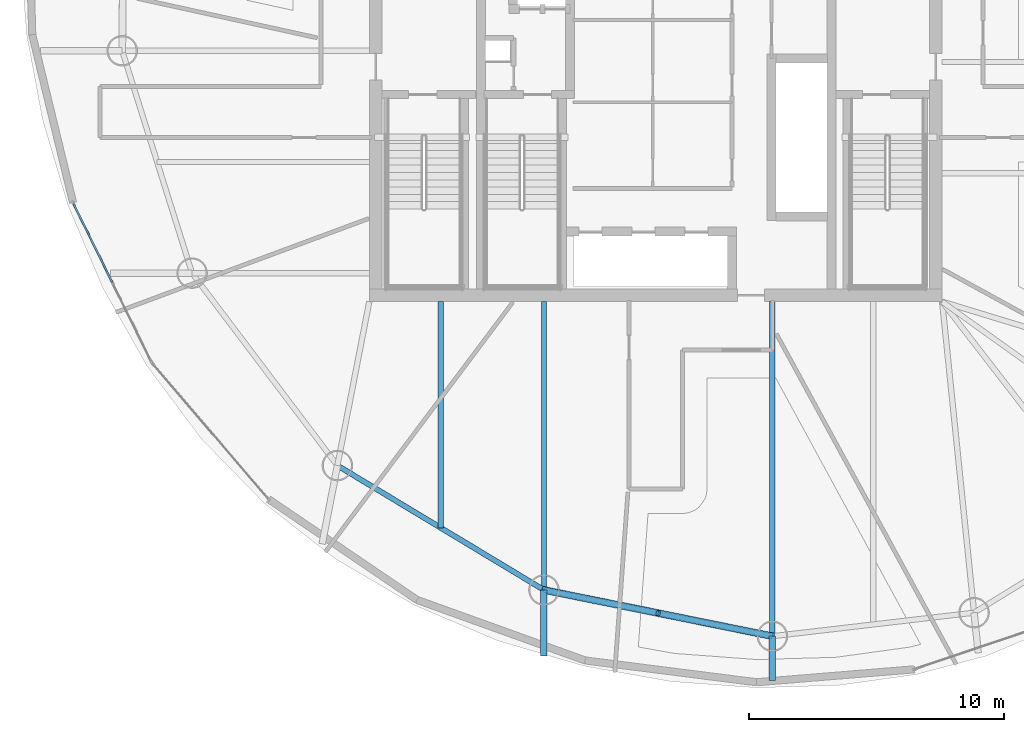
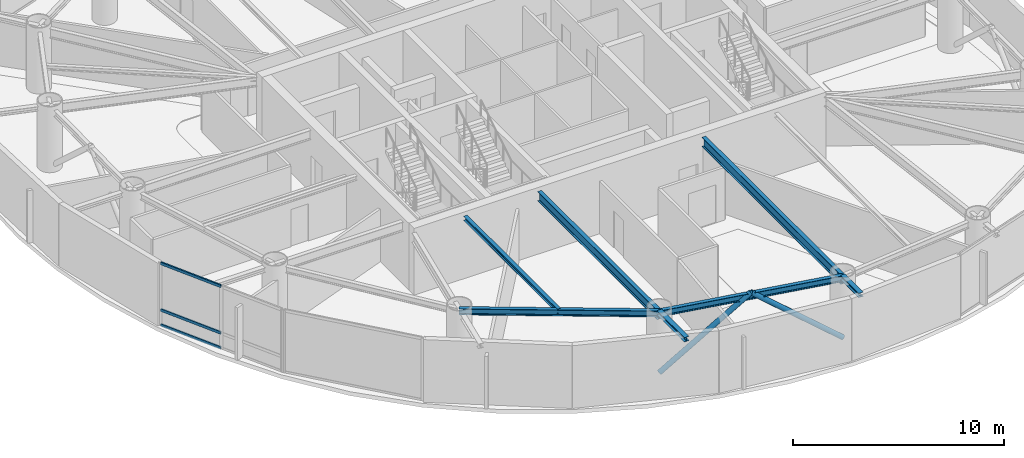
# One storey, part 3 of 19: 7 beams, 5 members, 1 element without a shape of its own.
"""IFC4 building model written with IfcOpenShell, lengths in metres."""

from ifc_helpers import new_model, si_unit, direction, frame, origin, origin_2d, place, context, subcontext, project, spatial, hollow_rectangle, hollow_circle, i_section, extrude, material, layer, layer_set, material_profile, profile_set, type_object, element, aggregate, save


model = new_model("IFC4")

# Units and contexts
model_context = context("Model", 3, precision=1e-05, world=origin(), true_north=direction((0.0, 1.0)))
body_context = subcontext(model_context, "Body", "Model", "MODEL_VIEW")
ifc_project = project(units=[si_unit("LENGTHUNIT", "METRE"), si_unit("AREAUNIT", "SQUARE_METRE"), si_unit("VOLUMEUNIT", "CUBIC_METRE"), si_unit("PLANEANGLEUNIT", "RADIAN"), si_unit("MASSUNIT", "GRAM", prefix="KILO")], contexts=[model_context])

# Site, building, storey
site_placement = place(None, origin())
site = spatial("IfcSite", under=ifc_project, at=site_placement, CompositionType="ELEMENT")
building_placement = place(site_placement, origin())
building = spatial("IfcBuilding", under=site, at=building_placement, Name="Bramvorn Convention Spire", CompositionType="ELEMENT")
storey_placement = place(building_placement, frame((0.0, 0.0, 198.14990234375)))
storey = spatial("IfcBuildingStorey", under=building, at=storey_placement, Name="L50", CompositionType="ELEMENT", Elevation=198.14990234375)

# Beams
ifc_material_1 = material(Name="Steel CSA G40.21 Grade 350 (350W)", Category="steel")
ifc_material_profile_1 = material_profile(ifc_material_1, i_section(OverallWidth=0.201904296875, OverallDepth=0.2470703125, WebThickness=0.00732421875, FlangeThickness=0.010986328125, FilletRadius=0.011962890625, at=origin_2d()))
ifc_profile_set_1 = profile_set([ifc_material_profile_1], Name="Steel CSA G40.21 Grade 350 (350W) - W250X49")
beam_type_1 = type_object("IfcBeamType", Name="BM-W250X49", PredefinedType="JOIST", material=ifc_profile_set_1)
beam_1_placement = place(storey_placement, frame((29.554443359375, 18.550048828125, 3.49658203125), z_axis=(0.0, -1.0, 0.0), x_axis=(1.0, 0.0, 0.0)))
element("IfcBeam", 1, at=beam_1_placement, inside=storey, type_object=beam_type_1, Name="L50 composite floor joist 13", PredefinedType="JOIST", context=body_context, shape_type="SweptSolid", body=[
    extrude(i_section(OverallWidth=0.201904296875, OverallDepth=0.2470703125, WebThickness=0.00732421875, FlangeThickness=0.010986328125, FilletRadius=0.011962890625, at=origin_2d()), origin(), (0.0, 0.0, 1.0), 8.878662109375),
])
ifc_material_profile_2 = material_profile(ifc_material_1, i_section(OverallWidth=0.25390625, OverallDepth=0.2529296875, WebThickness=0.008544921875, FlangeThickness=0.01416015625, FilletRadius=0.011962890625, at=origin_2d()))
ifc_profile_set_2 = profile_set([ifc_material_profile_2], Name="Steel CSA G40.21 Grade 350 (350W) - W250X73")
beam_type_2 = type_object("IfcBeamType", Name="BM-W250X73", PredefinedType="BEAM", material=ifc_profile_set_2)
beam_2_placement = place(storey_placement, frame((33.61083984375, 7.227783203125, 3.49365234375), z_axis=(0.0, -1.0, 0.0), x_axis=(1.0, 0.0, 0.0)))
element("IfcBeam", 2, at=beam_2_placement, inside=storey, type_object=beam_type_2, Name="L50 slab-edge cantilever tip beam MC14", PredefinedType="BEAM", context=body_context, shape_type="SweptSolid", body=[
    extrude(i_section(OverallWidth=0.25390625, OverallDepth=0.2529296875, WebThickness=0.008544921875, FlangeThickness=0.01416015625, FilletRadius=0.011962890625, at=origin_2d()), origin(), (0.0, 0.0, 1.0), 2.58837890625),
])
beam_3_placement = place(storey_placement, frame((42.583740234375, 5.41162109375, 3.49365234375), z_axis=(0.0, -1.0, 0.0), x_axis=(1.0, 0.0, 0.0)))
element("IfcBeam", 3, at=beam_3_placement, inside=storey, type_object=beam_type_2, Name="L50 slab-edge cantilever tip beam MC15", PredefinedType="BEAM", context=body_context, shape_type="SweptSolid", body=[
    extrude(i_section(OverallWidth=0.25390625, OverallDepth=0.2529296875, WebThickness=0.008544921875, FlangeThickness=0.01416015625, FilletRadius=0.011962890625, at=origin_2d()), origin(), (0.0, 0.0, 1.0), 1.73974609375),
])
ifc_material_profile_3 = material_profile(ifc_material_1, i_section(OverallWidth=0.205078125, OverallDepth=0.35400390625, WebThickness=0.009521484375, FlangeThickness=0.016845703125, FilletRadius=0.014892578125, at=origin_2d()))
ifc_profile_set_3 = profile_set([ifc_material_profile_3], Name="Steel CSA G40.21 Grade 350 (350W) - W360X79")
beam_type_3 = type_object("IfcBeamType", Name="BM-W360X79", PredefinedType="JOIST", material=ifc_profile_set_3)
beam_4_placement = place(storey_placement, frame((25.498046875, 12.114990234375, 3.443115234375), z_axis=(0.856581795745, -0.516011266543, 0.0), x_axis=(0.516011266543, 0.856581795745, 0.0)))
element("IfcBeam", 4, at=beam_4_placement, inside=storey, type_object=beam_type_3, Name="L50 mega-column ring beam 13", PredefinedType="JOIST", context=body_context, shape_type="SweptSolid", body=[
    extrude(i_section(OverallWidth=0.205078125, OverallDepth=0.35400390625, WebThickness=0.009521484375, FlangeThickness=0.016845703125, FilletRadius=0.014892578125, at=origin_2d()), origin(), (0.0, 0.0, 1.0), 9.47119140625),
])
beam_5_placement = place(storey_placement, frame((33.61083984375, 7.227783203125, 3.443115234375), z_axis=(0.980124701676, -0.198382381187, 0.0), x_axis=(0.198382381187, 0.980124701676, 0.0)))
element("IfcBeam", 5, at=beam_5_placement, inside=storey, type_object=beam_type_3, Name="L50 mega-column ring beam 14", PredefinedType="JOIST", context=body_context, shape_type="SweptSolid", body=[
    extrude(i_section(OverallWidth=0.205078125, OverallDepth=0.35400390625, WebThickness=0.009521484375, FlangeThickness=0.016845703125, FilletRadius=0.014892578125, at=origin_2d()), origin(), (0.0, 0.0, 1.0), 9.15478515625),
])
ifc_material_profile_4 = material_profile(ifc_material_1, i_section(OverallWidth=0.2119140625, OverallDepth=0.5439453125, WebThickness=0.01318359375, FlangeThickness=0.021240234375, FilletRadius=0.01904296875, at=origin_2d()))
ifc_profile_set_4 = profile_set([ifc_material_profile_4], Name="Steel CSA G40.21 Grade 350 (350W) - W530X123")
beam_type_4 = type_object("IfcBeamType", Name="BM-W530X123", PredefinedType="BEAM", material=ifc_profile_set_4)
beam_6_placement = place(storey_placement, frame((33.61083984375, 18.550048828125, 3.34814453125), z_axis=(0.0, -1.0, 0.0), x_axis=(1.0, 0.0, 0.0)))
element("IfcBeam", 6, at=beam_6_placement, inside=storey, type_object=beam_type_4, Name="L50 radial floor girder MC14", PredefinedType="BEAM", context=body_context, shape_type="SweptSolid", body=[
    extrude(i_section(OverallWidth=0.2119140625, OverallDepth=0.5439453125, WebThickness=0.01318359375, FlangeThickness=0.021240234375, FilletRadius=0.01904296875, at=origin_2d()), origin(), (0.0, 0.0, 1.0), 11.322265625),
])
beam_7_placement = place(storey_placement, frame((42.583740234375, 18.550048828125, 3.34814453125), z_axis=(0.0, -1.0, 0.0), x_axis=(1.0, 0.0, 0.0)))
element("IfcBeam", 7, at=beam_7_placement, inside=storey, type_object=beam_type_4, Name="L50 radial floor girder MC15", PredefinedType="BEAM", context=body_context, shape_type="SweptSolid", body=[
    extrude(i_section(OverallWidth=0.2119140625, OverallDepth=0.5439453125, WebThickness=0.01318359375, FlangeThickness=0.021240234375, FilletRadius=0.01904296875, at=origin_2d()), origin(), (0.0, 0.0, 1.0), 13.138427734375),
])

# Curtain wall, members
ifc_material_2 = material(Name="Anodised Bronze Unitised Curtain Wall", Category="aluminium")
ifc_layer = layer(ifc_material_2, 0.179931640625)
ifc_layer_set = layer_set([ifc_layer], Name="Anodised Bronze Unitised Curtain Wall - CW-OFF-FRIT")
curtain_wall_type = type_object("IfcCurtainWallType", Name="CW-OFF-FRIT", PredefinedType="USERDEFINED", material=ifc_layer_set)
curtain_wall_placement = place(storey_placement, origin())
curtain_wall = element("IfcCurtainWall", 8, at=curtain_wall_placement, inside=storey, type_object=curtain_wall_type, Name="L50 fritted glass curtain wall 17", ObjectType="UNITISED CURTAIN WALL", PredefinedType="USERDEFINED")
ifc_material_3 = material(Name="Anodised Bronze Aluminium 6063-T6", Category="aluminium")
ifc_material_profile_5 = material_profile(ifc_material_3, hollow_rectangle(XDim=0.080078125, YDim=0.159912109375, WallThickness=0.00390625, InnerFilletRadius=0.0009765625, OuterFilletRadius=0.00390625, at=origin_2d()))
ifc_profile_set_5 = profile_set([ifc_material_profile_5], Name="Anodised Bronze Aluminium 6063-T6 - CWT80X160")
member_type_1 = type_object("IfcMemberType", Name="CW-TRN-150", PredefinedType="USERDEFINED", material=ifc_profile_set_5)
member_1_placement = place(storey_placement, frame((16.65087890625, 19.322265625, 0.030029296875), z_axis=(-0.441606204556, 0.897208983513, 0.0), x_axis=(-0.897208983513, -0.441606204556, 0.0)))
member_1 = element("IfcMember", 9, at=member_1_placement, type_object=member_type_1, Name="CW3 transom 2.1", ObjectType="TRANSOM", PredefinedType="USERDEFINED", context=body_context, shape_type="SweptSolid", body=[
    extrude(hollow_rectangle(XDim=0.080078125, YDim=0.159912109375, WallThickness=0.00390625, InnerFilletRadius=0.0009765625, OuterFilletRadius=0.00390625, at=origin_2d()), origin(), (0.0, 0.0, 1.0), 3.418701171875),
])
member_2_placement = place(storey_placement, frame((16.65087890625, 19.322265625, 0.900146484375), z_axis=(-0.441606204556, 0.897208983513, 0.0), x_axis=(-0.897208983513, -0.441606204556, 0.0)))
member_2 = element("IfcMember", 10, at=member_2_placement, type_object=member_type_1, Name="CW3 transom 2.2", ObjectType="TRANSOM", PredefinedType="USERDEFINED", context=body_context, shape_type="SweptSolid", body=[
    extrude(hollow_rectangle(XDim=0.080078125, YDim=0.159912109375, WallThickness=0.00390625, InnerFilletRadius=0.0009765625, OuterFilletRadius=0.00390625, at=origin_2d()), origin(), (0.0, 0.0, 1.0), 3.418701171875),
])
member_3_placement = place(storey_placement, frame((16.65087890625, 19.322265625, 3.590087890625), z_axis=(-0.441606204556, 0.897208983513, 0.0), x_axis=(-0.897208983513, -0.441606204556, 0.0)))
member_3 = element("IfcMember", 11, at=member_3_placement, type_object=member_type_1, Name="CW3 transom 2.3", ObjectType="TRANSOM", PredefinedType="USERDEFINED", context=body_context, shape_type="SweptSolid", body=[
    extrude(hollow_rectangle(XDim=0.080078125, YDim=0.159912109375, WallThickness=0.00390625, InnerFilletRadius=0.0009765625, OuterFilletRadius=0.00390625, at=origin_2d()), origin(), (0.0, 0.0, 1.0), 3.418701171875),
])
aggregate(curtain_wall, [member_1, member_2, member_3])

# Members
ifc_material_profile_6 = material_profile(ifc_material_1, hollow_circle(Radius=0.136474609375, WallThickness=0.0126953125, at=origin_2d()))
ifc_profile_set_6 = profile_set([ifc_material_profile_6], Name="Steel CSA G40.21 Grade 350 (350W) - CHS273X13")
member_type_2 = type_object("IfcMemberType", Name="MBR-CHS273X13", PredefinedType="BRACE", material=ifc_profile_set_6)
for number, where, z_axis, x_axis, name in (
    (12, (33.61083984375, 7.227783203125, 0.0), (0.768774413927, -0.155578823823, 0.62030728681), (0.198351578089, 0.98013093588, 0.0), "L50 perimeter Gothic lancet brace 14A"),
    (13, (42.583740234375, 5.41162109375, 0.0), (-0.768752299453, 0.155624649215, 0.620323198536), (-0.198413185373, -0.980118466243, 0.0), "L50 perimeter Gothic lancet brace 14B"),
):
    element("IfcMember", number, at=place(storey_placement, frame(where, z_axis=z_axis, x_axis=x_axis)), inside=storey, type_object=member_type_2, Name=name, PredefinedType="BRACE", context=body_context, shape_type="SweptSolid", body=[
        extrude(hollow_circle(Radius=0.136474609375, WallThickness=0.0126953125, at=origin_2d()), origin(), (0.0, 0.0, 1.0), 5.8359375),
    ])

save(model, "model.ifc")
